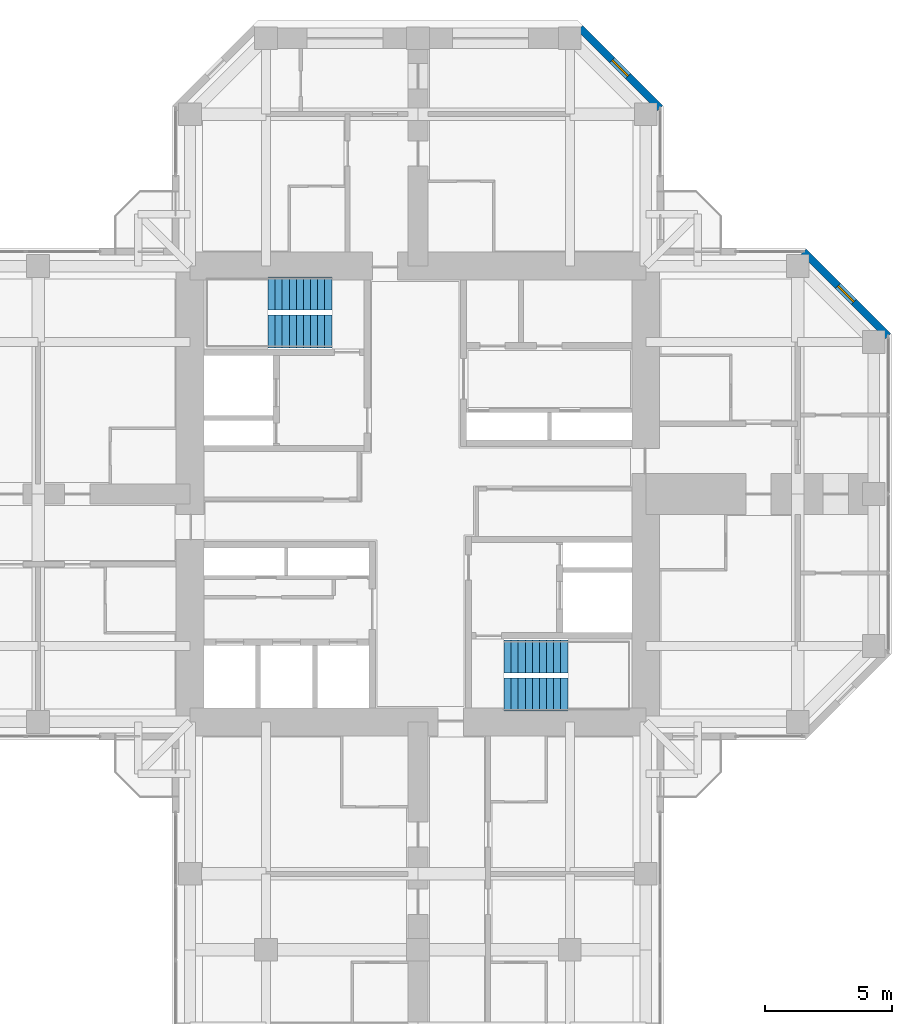
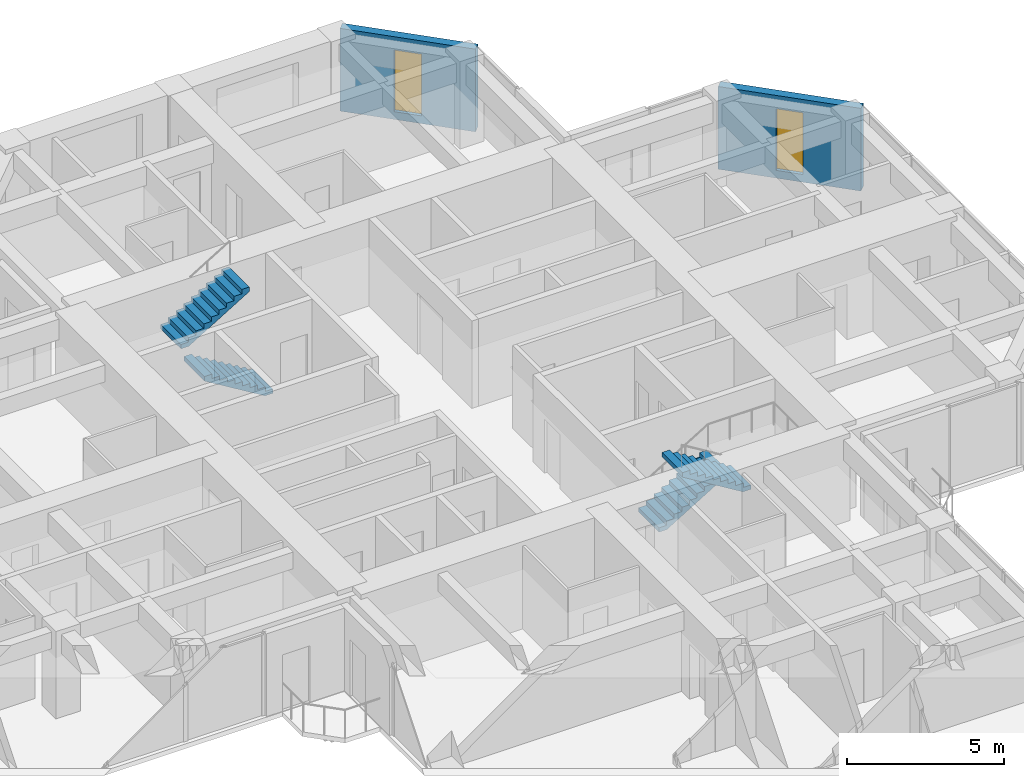
# One storey, part 13 of 14: 4 stair flights, 2 walls, 2 windows, 2 openings, 2 elements without a shape of their own.
"""IFC4 building model written with IfcOpenShell, lengths in metres."""

import ifcopenshell
import ifcopenshell.guid

model = None  # the IFC model being written
_history = None  # IfcOwnerHistory: only IFC2X3 demands one
_inside = {}  # id of a spatial element -> (the spatial element, [elements in it])
_under = {}  # id of a project, library or spatial element -> (it, [spatial elements below it])
_declared = {}  # id of a project -> (the project, [libraries it declares])
_typed = {}  # id of a type object -> (the type object, [elements of that type])
_made_of = {}  # id of a material, layer set ... -> (it, [elements and type objects made of it])


def new_model(schema):
    """Start an empty IFC model of exactly this schema.

    Asked for "IFC4X3", IfcOpenShell would pick the latest addendum, in which some entities
    have other attributes; the version numbers below select the first issue.
    IFC2X3 requires an IfcOwnerHistory on every rooted entity: one is made here for all.
    """
    global model, _history
    if schema == "IFC4X3":
        model = ifcopenshell.file(schema_version=(4, 3, 0, 0))
    else:
        model = ifcopenshell.file(schema=schema)
    _inside.clear()
    _under.clear()
    _declared.clear()
    _typed.clear()
    _made_of.clear()
    _history = None
    if model.schema == "IFC2X3":
        org = make("IfcOrganization", Name="unknown")
        user = make(
            "IfcPersonAndOrganization",
            ThePerson=make("IfcPerson", FamilyName="unknown"),
            TheOrganization=org,
        )
        app = make(
            "IfcApplication",
            ApplicationDeveloper=org,
            Version="unknown",
            ApplicationFullName="unknown",
            ApplicationIdentifier="unknown",
        )
        _history = make(
            "IfcOwnerHistory",
            OwningUser=user,
            OwningApplication=app,
            ChangeAction="ADDED",
            CreationDate=0,
        )
    return model


def make(cls, **values):
    """One entity of the class cls with the attributes given. An attribute that is None is left unset."""
    return model.create_entity(
        cls, **{name: value for name, value in values.items() if value is not None}
    )


def rooted(cls, **values):
    """An entity with a GlobalId (a new one), such as an element, a storey or a relation."""
    return make(cls, GlobalId=ifcopenshell.guid.new(), OwnerHistory=_history, **values)


def si_unit(unit_type, name, prefix=None):
    """IfcSIUnit, for example si_unit("LENGTHUNIT", "METRE", prefix="MILLI")."""
    return make("IfcSIUnit", UnitType=unit_type, Prefix=prefix, Name=name)


def assignment(units):
    """IfcUnitAssignment: the units of a project."""
    return None if units is None else make("IfcUnitAssignment", Units=units)


def point(xyz):
    """IfcCartesianPoint."""
    return None if xyz is None else make("IfcCartesianPoint", Coordinates=xyz)


def direction(xyz):
    """IfcDirection."""
    return None if xyz is None else make("IfcDirection", DirectionRatios=xyz)


def frame(location, z_axis=None, x_axis=None):
    """IfcAxis2Placement3D, a coordinate frame: its origin and axes. An axis left out is left unset."""
    return make(
        "IfcAxis2Placement3D",
        Location=point(location),
        Axis=direction(z_axis),
        RefDirection=direction(x_axis),
    )


def frame_2d(location, x_axis=None):
    """IfcAxis2Placement2D, a coordinate frame in the plane: its origin and x axis."""
    return make(
        "IfcAxis2Placement2D", Location=point(location), RefDirection=direction(x_axis)
    )


def origin():
    """The frame at (0, 0, 0) with its axes left unset."""
    return frame((0.0, 0.0, 0.0))


def place(relative_to, where):
    """IfcLocalPlacement: puts the frame where relative to a parent placement (None: the world)."""
    return make(
        "IfcLocalPlacement", PlacementRelTo=relative_to, RelativePlacement=where
    )


def context(
    kind, dimensions, precision=None, world=None, true_north=None, identifier=None
):
    """IfcGeometricRepresentationContext, for example the 3D "Model" context."""
    return make(
        "IfcGeometricRepresentationContext",
        ContextIdentifier=identifier,
        ContextType=kind,
        CoordinateSpaceDimension=dimensions,
        Precision=precision,
        WorldCoordinateSystem=world,
        TrueNorth=true_north,
    )


def subcontext(parent, identifier, kind, view, scale=None):
    """IfcGeometricRepresentationSubContext, for example "Body" below "Model"."""
    return make(
        "IfcGeometricRepresentationSubContext",
        ContextIdentifier=identifier,
        ContextType=kind,
        ParentContext=parent,
        TargetScale=scale,
        TargetView=view,
    )


def project(units=None, contexts=None):
    """IfcProject with its units and contexts."""
    return rooted(
        "IfcProject",
        Name="project",
        RepresentationContexts=contexts,
        UnitsInContext=assignment(units),
    )


def spatial(cls, under=None, at=None, **own):
    """A site, building, storey or space (cls), placed at a placement, below another one or the project."""
    s = rooted(cls, ObjectPlacement=at, **own)
    if under is not None:
        _under.setdefault(under.id(), (under, []))[1].append(s)
    return s


def polyline(points):
    """IfcPolyline through the points."""
    return make("IfcPolyline", Points=[point(p) for p in points])


def profile(cls, at=None, kind="AREA", **sizes):
    """A parametric profile (cls). Its sizes go by their IFC names, for example OverallWidth=200.0."""
    return make(cls, ProfileType=kind, Position=at, **sizes)


def rectangle(**sizes):
    """IfcRectangleProfileDef."""
    return profile("IfcRectangleProfileDef", **sizes)


def hollow_rectangle(**sizes):
    """IfcRectangleHollowProfileDef."""
    return profile("IfcRectangleHollowProfileDef", **sizes)


def outline(outer, holes=None, kind="AREA"):
    """IfcArbitraryClosedProfileDef: a profile drawn as a closed curve; with holes, ...WithVoids."""
    if holes is None:
        return make("IfcArbitraryClosedProfileDef", ProfileType=kind, OuterCurve=outer)
    return make(
        "IfcArbitraryProfileDefWithVoids",
        ProfileType=kind,
        OuterCurve=outer,
        InnerCurves=holes,
    )


def extrude(swept, where, along, depth):
    """IfcExtrudedAreaSolid: the profile swept, set in the frame where, extruded along a direction by depth."""
    return make(
        "IfcExtrudedAreaSolid",
        SweptArea=swept,
        Position=where,
        ExtrudedDirection=direction(along),
        Depth=depth,
    )


def shape(context_of_items, identifier, shape_type, items):
    """IfcShapeRepresentation: the items that make up one representation, for example the "Body"."""
    return make(
        "IfcShapeRepresentation",
        ContextOfItems=context_of_items,
        RepresentationIdentifier=identifier,
        RepresentationType=shape_type,
        Items=items,
    )


def material(Name=None, Category=None):
    """IfcMaterial."""
    return make("IfcMaterial", Name=Name, Category=Category)


def layer(
    of_material, thickness, ventilated=None, Name=None, Category=None, Priority=None
):
    """IfcMaterialLayer: one layer of a wall or slab, of a material (None: an air gap)."""
    return make(
        "IfcMaterialLayer",
        Material=of_material,
        LayerThickness=thickness,
        IsVentilated=ventilated,
        Name=Name,
        Category=Category,
        Priority=Priority,
    )


def layer_set(layers, Name=None):
    """IfcMaterialLayerSet."""
    return make("IfcMaterialLayerSet", MaterialLayers=layers, LayerSetName=Name)


def constituent(of_material, Name=None, Category=None, fraction=None):
    """IfcMaterialConstituent: one of the materials an element consists of."""
    return make(
        "IfcMaterialConstituent",
        Name=Name,
        Material=of_material,
        Fraction=fraction,
        Category=Category,
    )


def constituent_set(constituents=None, Name=None):
    """IfcMaterialConstituentSet."""
    return make(
        "IfcMaterialConstituentSet", Name=Name, MaterialConstituents=constituents
    )


def made_of(thing, what):
    """Note that an element or type object is made of a material, layer set ...; save() writes the relation."""
    if what is not None:
        _made_of.setdefault(what.id(), (what, []))[1].append(thing)
    return thing


def type_object(cls, material=None, **own):
    """A type object (cls), such as IfcWallType, which elements share."""
    return made_of(rooted(cls, **own), material)


def element(
    cls,
    number,
    at=None,
    inside=None,
    cuts=None,
    type_object=None,
    material=None,
    context=None,
    identifier="Body",
    shape_type=None,
    held_by="IfcProductDefinitionShape",
    body=None,
    shapes=None,
    **own,
):
    """One element of the class cls, such as IfcWall. Its Tag is "e" and its number.

    at: its placement. inside: the storey or other place that contains it. cuts: it is an
    opening in that element (IfcRelVoidsElement). A single representation is given by context,
    identifier, shape_type and body (its items); several are given by shapes. held_by: the class
    of the entity that holds the representations. save() writes the other relations.
    """
    e = rooted(cls, Tag="e%d" % number, ObjectPlacement=at, **own)
    if body is not None:
        shapes = [shape(context, identifier, shape_type, body)]
    if shapes is not None:
        e.Representation = make(held_by, Representations=shapes)
    if inside is not None:
        _inside.setdefault(inside.id(), (inside, []))[1].append(e)
    if cuts is not None:
        rooted(
            "IfcRelVoidsElement", RelatingBuildingElement=cuts, RelatedOpeningElement=e
        )
    if type_object is not None:
        _typed.setdefault(type_object.id(), (type_object, []))[1].append(e)
    return made_of(e, material)


def fill(opening, filler):
    """IfcRelFillsElement: the door or window that sits in an opening."""
    return rooted(
        "IfcRelFillsElement",
        RelatingOpeningElement=opening,
        RelatedBuildingElement=filler,
    )


def aggregate(whole, parts):
    """IfcRelAggregates: a whole, such as a stair, and the parts it consists of."""
    return rooted("IfcRelAggregates", RelatingObject=whole, RelatedObjects=parts)


def save(model, path):
    """Write the relations noted so far, then the file.

    IfcRelAggregates (storeys below a building ...), IfcRelContainedInSpatialStructure (elements
    in a storey), IfcRelDefinesByType, IfcRelAssociatesMaterial and IfcRelDeclares: one each for
    every whole, place, type object, material and project.
    """
    for whole, parts in _under.values():
        aggregate(whole, parts)
    for where, things in _inside.values():
        rooted(
            "IfcRelContainedInSpatialStructure",
            RelatedElements=things,
            RelatingStructure=where,
        )
    for kind, things in _typed.values():
        rooted("IfcRelDefinesByType", RelatedObjects=things, RelatingType=kind)
    for what, things in _made_of.values():
        rooted("IfcRelAssociatesMaterial", RelatedObjects=things, RelatingMaterial=what)
    for by, libraries in _declared.values():
        rooted("IfcRelDeclares", RelatingContext=by, RelatedDefinitions=libraries)
    model.write(path)


model = new_model("IFC4")

# Units and contexts
model_context = context("Model", 3, precision=1e-05, world=origin(), true_north=direction((0.0, 1.0)))
body_context = subcontext(model_context, "Body", "Model", "MODEL_VIEW")
ifc_project = project(units=[si_unit("LENGTHUNIT", "METRE"), si_unit("AREAUNIT", "SQUARE_METRE"), si_unit("VOLUMEUNIT", "CUBIC_METRE"), si_unit("PLANEANGLEUNIT", "RADIAN"), si_unit("MASSUNIT", "GRAM", prefix="KILO")], contexts=[model_context])

# Site, building, storey
site_placement = place(None, origin())
site = spatial("IfcSite", under=ifc_project, at=site_placement, CompositionType="ELEMENT")
building_placement = place(site_placement, origin())
building = spatial("IfcBuilding", under=site, at=building_placement, Name="Torre Cruceta", CompositionType="ELEMENT")
storey_placement = place(building_placement, frame((0.0, 0.0, 176.300048828125)))
storey = spatial("IfcBuildingStorey", under=building, at=storey_placement, Name="L43", CompositionType="ELEMENT", Elevation=176.300048828125)

# Wall, opening, window
ifc_material_1 = material(Name="Concrete G30 (fck 30 MPa)", Category="concrete")
ifc_layer = layer(ifc_material_1, 0.300048828125)
ifc_layer_set = layer_set([ifc_layer], Name="Concrete G30 (fck 30 MPa)")
wall_type = type_object("IfcWallType", Name="EXPOSED CONCRETE FACADE WALL 300", PredefinedType="SOLIDWALL", material=ifc_layer_set)
wall_1_placement = place(storey_placement, frame((18.570068359375, 6.236083984375, 0.0), z_axis=(0.0, 0.0, 1.0), x_axis=(-0.707106781187, 0.707106781187, 0.0)))
wall_1 = element("IfcWall", 1, at=wall_1_placement, inside=storey, type_object=wall_type, Name="EW1 facade wall L43 E chamfer 03", PredefinedType="SOLIDWALL", context=body_context, shape_type="SweptSolid", body=[
    extrude(rectangle(XDim=4.715087890625, YDim=0.300048828125, at=frame_2d((2.357421875, 0.0))), origin(), (0.0, 0.0, 1.0), 3.219970703125),
])
opening_1_placement = place(wall_1_placement, frame((1.907470703125, 0.0, 0.300048828125)))
opening_1 = element("IfcOpeningElement", 2, at=opening_1_placement, cuts=wall_1, Name="Opening WN5", PredefinedType="OPENING", context=body_context, shape_type="SweptSolid", body=[
    extrude(rectangle(XDim=0.89990234375, YDim=2.39990234375, at=frame_2d((0.449951171875, 1.199951171875))), frame((0.0, 0.159912109375, 0.0), z_axis=(0.0, -1.0, 0.0), x_axis=(1.0, 0.0, 0.0)), (0.0, 0.0, 1.0), 0.320068359375),
])
ifc_material_2 = material(Name="Aluminium window frame", Category="aluminium")
ifc_constituent_1 = constituent(ifc_material_2, Name="Frame")
ifc_material_3 = material(Name="Laminated insulating glass unit, low-iron clear", Category="glass")
ifc_constituent_2 = constituent(ifc_material_3, Name="Glazing")
ifc_constituent_set = constituent_set(constituents=[ifc_constituent_1, ifc_constituent_2], Name="Aluminium window")
window_type = type_object("IfcWindowType", Name="CHAMFER SLOT WINDOW 900X2400", PartitioningType="SINGLE_PANEL", PredefinedType="WINDOW", material=ifc_constituent_set)
window_1_placement = place(opening_1_placement, origin())
window_1 = element("IfcWindow", 3, at=window_1_placement, inside=storey, type_object=window_type, Name="WN5 L43 E 1", OverallHeight=2.39990234375, OverallWidth=0.89990234375, PartitioningType="SINGLE_PANEL", PredefinedType="WINDOW", context=body_context, shape_type="SweptSolid", body=[
    extrude(hollow_rectangle(XDim=0.89990234375, YDim=2.39990234375, WallThickness=0.06005859375, at=frame_2d((0.449951171875, 1.199951171875))), frame((0.0, 0.030029296875, 0.0), z_axis=(0.0, -1.0, 0.0), x_axis=(1.0, 0.0, 0.0)), (0.0, 0.0, 1.0), 0.06005859375),
    extrude(rectangle(XDim=0.77880859375, YDim=2.27880859375, at=frame_2d((0.449951171875, 1.199951171875))), frame((0.0, 0.030029296875, 0.0), z_axis=(0.0, -1.0, 0.0), x_axis=(1.0, 0.0, 0.0)), (0.0, 0.0, 1.0), 0.06005859375),
])
fill(opening_1, window_1)

wall_2_placement = place(storey_placement, frame((9.570068359375, 15.236083984375, 0.0), z_axis=(0.0, 0.0, 1.0), x_axis=(-0.707134062067, 0.707079499254, 0.0)))
wall_2 = element("IfcWall", 4, at=wall_2_placement, inside=storey, type_object=wall_type, Name="EW1 facade wall L43 N chamfer 06", PredefinedType="SOLIDWALL", context=body_context, shape_type="SweptSolid", body=[
    extrude(rectangle(XDim=4.474609375, YDim=0.300048828125, at=frame_2d((2.2373046875, 0.0))), origin(), (0.0, 0.0, 1.0), 3.219970703125),
])
opening_2_placement = place(wall_2_placement, frame((1.787109375, 0.0, 0.300048828125)))
opening_2 = element("IfcOpeningElement", 5, at=opening_2_placement, cuts=wall_2, Name="Opening WN5", PredefinedType="OPENING", context=body_context, shape_type="SweptSolid", body=[
    extrude(rectangle(XDim=0.89990234375, YDim=2.39990234375, at=frame_2d((0.449951171875, 1.199951171875))), frame((0.0, 0.159912109375, 0.0), z_axis=(0.0, -1.0, 0.0), x_axis=(1.0, 0.0, 0.0)), (0.0, 0.0, 1.0), 0.320068359375),
])
window_2_placement = place(opening_2_placement, origin())
window_2 = element("IfcWindow", 6, at=window_2_placement, inside=storey, type_object=window_type, Name="WN5 L43 N 1", OverallHeight=2.39990234375, OverallWidth=0.89990234375, PartitioningType="SINGLE_PANEL", PredefinedType="WINDOW", context=body_context, shape_type="SweptSolid", body=[
    extrude(hollow_rectangle(XDim=0.89990234375, YDim=2.39990234375, WallThickness=0.06005859375, at=frame_2d((0.449951171875, 1.199951171875))), frame((0.0, 0.030029296875, 0.0), z_axis=(0.0, -1.0, 0.0), x_axis=(1.0, 0.0, 0.0)), (0.0, 0.0, 1.0), 0.06005859375),
    extrude(rectangle(XDim=0.77880859375, YDim=2.27880859375, at=frame_2d((0.449951171875, 1.199951171875))), frame((0.0, 0.030029296875, 0.0), z_axis=(0.0, -1.0, 0.0), x_axis=(1.0, 0.0, 0.0)), (0.0, 0.0, 1.0), 0.06005859375),
])
fill(opening_2, window_2)

# Stair, stair flights
ifc_material_4 = material(Name="Concrete G30 (fck 30 MPa)", Category="concrete")
stair_type = type_object("IfcStairType", Name="STAIR HALF-TURN 1300", PredefinedType="HALF_TURN_STAIR", material=ifc_material_4)
stair_1_placement = place(storey_placement, origin())
stair_1 = element("IfcStair", 7, at=stair_1_placement, inside=storey, type_object=stair_type, Name="Stair ST1 L43", PredefinedType="HALF_TURN_STAIR")
ifc_material_5 = material(Name="Concrete G30 (fck 30 MPa)", Category="concrete")
stair_flight_type = type_object("IfcStairFlightType", Name="STAIR FLIGHT 1300", PredefinedType="STRAIGHT", material=ifc_material_5)
stair_flight_1_placement = place(storey_placement, frame((-3.39990234375, 6.425048828125, 0.0), z_axis=(0.0, 0.0, 1.0), x_axis=(-1.0, 0.0, 0.0)))
stair_flight_1 = element("IfcStairFlight", 8, at=stair_flight_1_placement, type_object=stair_flight_type, Name="ST1 flight 1", NumberOfRisers=10, NumberOfTreads=9, PredefinedType="STRAIGHT", RiserHeight=0.17, TreadLength=0.28, context=body_context, shape_type="SweptSolid", body=[
    extrude(outline(polyline([(0.0, 0.0), (0.0, 0.169921875), (0.280029296875, 0.169921875), (0.280029296875, 0.340087890625), (0.56005859375, 0.340087890625), (0.56005859375, 0.510009765625), (0.840087890625, 0.510009765625), (0.840087890625, 0.679931640625), (1.1201171875, 0.679931640625), (1.1201171875, 0.85009765625), (1.39990234375, 0.85009765625), (1.39990234375, 1.02001953125), (1.679931640625, 1.02001953125), (1.679931640625, 1.18994140625), (1.9599609375, 1.18994140625), (1.9599609375, 1.360107421875), (2.239990234375, 1.360107421875), (2.239990234375, 1.530029296875), (2.52001953125, 1.530029296875), (2.52001953125, 1.699951171875), (2.52001953125, 1.354736328125), (0.288818359375, 0.0), (0.0, 0.0)])), frame((0.0, 0.64990234375, 0.0), z_axis=(0.0, -1.0, 0.0), x_axis=(1.0, 0.0, 0.0)), (0.0, 0.0, 1.0), 1.300048828125),
])
stair_flight_2_placement = place(storey_placement, frame((-5.919921875, 7.925048828125, 1.699951171875), z_axis=(0.0, 0.0, 1.0), x_axis=(1.0, 0.0, 0.0)))
stair_flight_2 = element("IfcStairFlight", 9, at=stair_flight_2_placement, type_object=stair_flight_type, Name="ST1 flight 2", NumberOfRisers=10, NumberOfTreads=9, PredefinedType="STRAIGHT", RiserHeight=0.17, TreadLength=0.28, context=body_context, shape_type="SweptSolid", body=[
    extrude(outline(polyline([(0.0, 0.0), (0.0, 0.169921875), (0.280029296875, 0.169921875), (0.280029296875, 0.340087890625), (0.56005859375, 0.340087890625), (0.56005859375, 0.510009765625), (0.840087890625, 0.510009765625), (0.840087890625, 0.679931640625), (1.1201171875, 0.679931640625), (1.1201171875, 0.85009765625), (1.39990234375, 0.85009765625), (1.39990234375, 1.02001953125), (1.679931640625, 1.02001953125), (1.679931640625, 1.18994140625), (1.9599609375, 1.18994140625), (1.9599609375, 1.360107421875), (2.239990234375, 1.360107421875), (2.239990234375, 1.530029296875), (2.52001953125, 1.530029296875), (2.52001953125, 1.699951171875), (2.52001953125, 1.354736328125), (0.288818359375, 0.0), (0.0, 0.0)])), frame((0.0, 0.64990234375, 0.0), z_axis=(0.0, -1.0, 0.0), x_axis=(1.0, 0.0, 0.0)), (0.0, 0.0, 1.0), 1.300048828125),
])
aggregate(stair_1, [stair_flight_1, stair_flight_2])

stair_2_placement = place(storey_placement, origin())
stair_2 = element("IfcStair", 10, at=stair_2_placement, inside=storey, type_object=stair_type, Name="Stair ST2 L43", PredefinedType="HALF_TURN_STAIR")
stair_flight_3_placement = place(storey_placement, frame((3.39990234375, -6.425048828125, 0.0), z_axis=(0.0, 0.0, 1.0), x_axis=(1.0, 0.0, 0.0)))
stair_flight_3 = element("IfcStairFlight", 11, at=stair_flight_3_placement, type_object=stair_flight_type, Name="ST2 flight 1", NumberOfRisers=10, NumberOfTreads=9, PredefinedType="STRAIGHT", RiserHeight=0.17, TreadLength=0.28, context=body_context, shape_type="SweptSolid", body=[
    extrude(outline(polyline([(0.0, 0.0), (0.0, 0.169921875), (0.280029296875, 0.169921875), (0.280029296875, 0.340087890625), (0.56005859375, 0.340087890625), (0.56005859375, 0.510009765625), (0.840087890625, 0.510009765625), (0.840087890625, 0.679931640625), (1.1201171875, 0.679931640625), (1.1201171875, 0.85009765625), (1.39990234375, 0.85009765625), (1.39990234375, 1.02001953125), (1.679931640625, 1.02001953125), (1.679931640625, 1.18994140625), (1.9599609375, 1.18994140625), (1.9599609375, 1.360107421875), (2.239990234375, 1.360107421875), (2.239990234375, 1.530029296875), (2.52001953125, 1.530029296875), (2.52001953125, 1.699951171875), (2.52001953125, 1.354736328125), (0.288818359375, 0.0), (0.0, 0.0)])), frame((0.0, 0.64990234375, 0.0), z_axis=(0.0, -1.0, 0.0), x_axis=(1.0, 0.0, 0.0)), (0.0, 0.0, 1.0), 1.300048828125),
])
stair_flight_4_placement = place(storey_placement, frame((5.919921875, -7.925048828125, 1.699951171875), z_axis=(0.0, 0.0, 1.0), x_axis=(-1.0, 0.0, 0.0)))
stair_flight_4 = element("IfcStairFlight", 12, at=stair_flight_4_placement, type_object=stair_flight_type, Name="ST2 flight 2", NumberOfRisers=10, NumberOfTreads=9, PredefinedType="STRAIGHT", RiserHeight=0.17, TreadLength=0.28, context=body_context, shape_type="SweptSolid", body=[
    extrude(outline(polyline([(0.0, 0.0), (0.0, 0.169921875), (0.280029296875, 0.169921875), (0.280029296875, 0.340087890625), (0.56005859375, 0.340087890625), (0.56005859375, 0.510009765625), (0.840087890625, 0.510009765625), (0.840087890625, 0.679931640625), (1.1201171875, 0.679931640625), (1.1201171875, 0.85009765625), (1.39990234375, 0.85009765625), (1.39990234375, 1.02001953125), (1.679931640625, 1.02001953125), (1.679931640625, 1.18994140625), (1.9599609375, 1.18994140625), (1.9599609375, 1.360107421875), (2.239990234375, 1.360107421875), (2.239990234375, 1.530029296875), (2.52001953125, 1.530029296875), (2.52001953125, 1.699951171875), (2.52001953125, 1.354736328125), (0.288818359375, 0.0), (0.0, 0.0)])), frame((0.0, 0.64990234375, 0.0), z_axis=(0.0, -1.0, 0.0), x_axis=(1.0, 0.0, 0.0)), (0.0, 0.0, 1.0), 1.300048828125),
])
aggregate(stair_2, [stair_flight_3, stair_flight_4])

save(model, "model.ifc")
